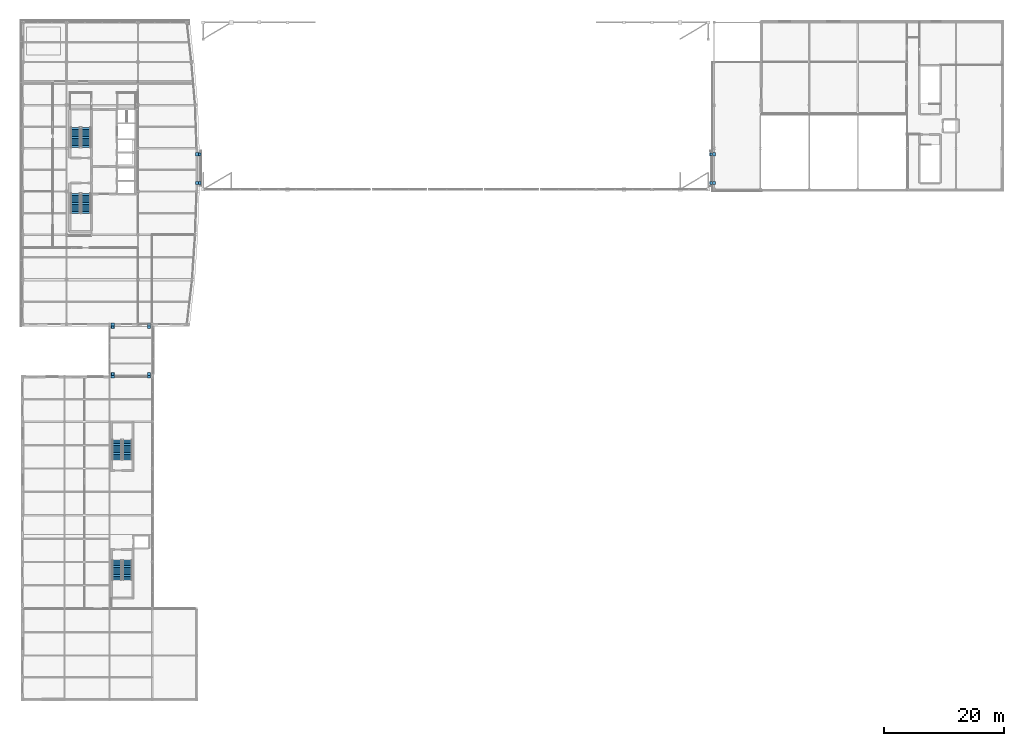
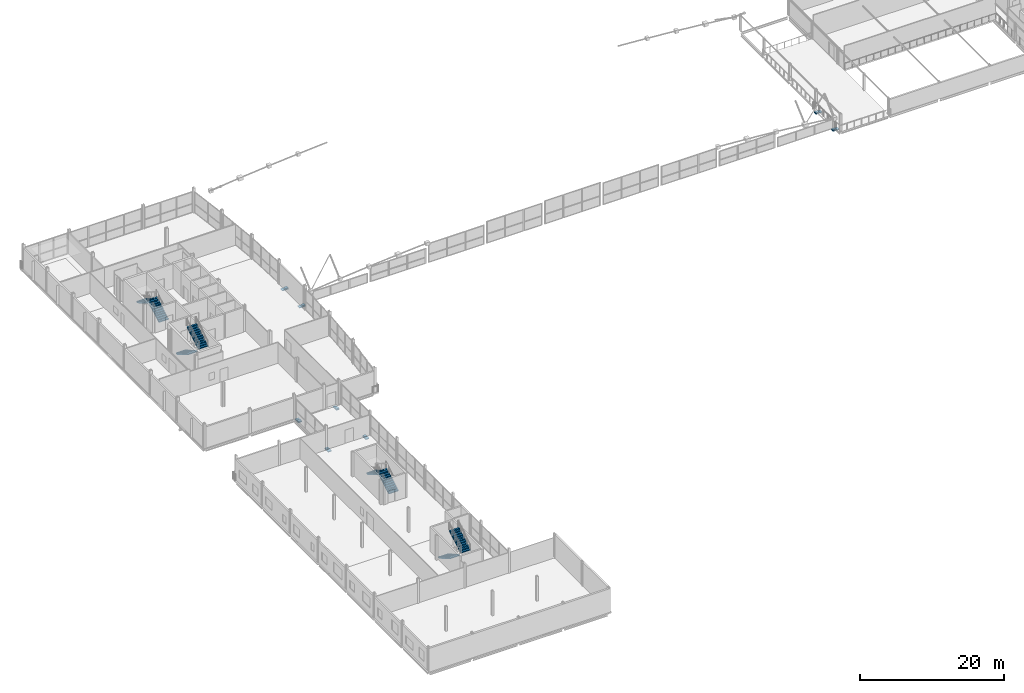
# One storey, part 54 of 60: 16 discrete accessories, 8 stair flights, 4 elements without a shape of their own.
"""IFC4 building model written with IfcOpenShell, lengths in metres."""

from ifc_helpers import new_model, si_unit, direction, frame, origin, origin_2d, place, context, subcontext, project, spatial, polyline, rectangle, outline, extrude, material, type_object, element, aggregate, save


model = new_model("IFC4")

# Units and contexts
model_context = context("Model", 3, precision=1e-05, world=origin(), true_north=direction((0.0, 1.0)))
body_context = subcontext(model_context, "Body", "Model", "MODEL_VIEW")
ifc_project = project(units=[si_unit("LENGTHUNIT", "METRE"), si_unit("AREAUNIT", "SQUARE_METRE"), si_unit("VOLUMEUNIT", "CUBIC_METRE"), si_unit("PLANEANGLEUNIT", "RADIAN"), si_unit("MASSUNIT", "GRAM", prefix="KILO")], contexts=[model_context])

# Site, building, storey
site_placement = place(None, origin())
site = spatial("IfcSite", under=ifc_project, at=site_placement, CompositionType="ELEMENT")
building_placement = place(site_placement, origin())
building = spatial("IfcBuilding", under=site, at=building_placement, Name="Quillay Park Conservatory", CompositionType="ELEMENT")
storey_placement = place(building_placement, frame((0.0, 0.0, 9.89990234375)))
storey = spatial("IfcBuildingStorey", under=building, at=storey_placement, Name="L02", CompositionType="ELEMENT", Elevation=9.89990234375)

# Stair, stair flights
ifc_material_1 = material(Name="Concrete C35/45 (NCh170 Concrete C35/45)", Category="concrete")
stair_type = type_object("IfcStairType", Name="ENCLOSED DOG LEG STAIR 4200", PredefinedType="HALF_TURN_STAIR", material=ifc_material_1)
stair_1_placement = place(storey_placement, origin())
stair_1 = element("IfcStair", 1, at=stair_1_placement, inside=storey, type_object=stair_type, Name="L02 Tower Protected Exit Stair 1", PredefinedType="HALF_TURN_STAIR")
ifc_material_2 = material(Name="Concrete C35/45 (NCh170 Concrete C35/45)", Category="concrete")
stair_flight_type = type_object("IfcStairFlightType", Name="STRAIGHT STAIR FLIGHT 4200", PredefinedType="STRAIGHT", material=ifc_material_2)
stair_flight_1_placement = place(storey_placement, frame((11.090087890625, 92.550048828125, 0.0), z_axis=(0.0, 0.0, 1.0), x_axis=(0.0, 1.0, 0.0)))
stair_flight_1 = element("IfcStairFlight", 2, at=stair_flight_1_placement, type_object=stair_flight_type, Name="ST-T1 flight 1", NumberOfRisers=12, NumberOfTreads=11, PredefinedType="STRAIGHT", RiserHeight=0.175, TreadLength=0.3, context=body_context, shape_type="SweptSolid", body=[
    extrude(outline(polyline([(0.0, 0.0), (0.0, 0.175048828125), (0.300048828125, 0.175048828125), (0.300048828125, 0.35009765625), (0.60009765625, 0.35009765625), (0.60009765625, 0.52490234375), (0.89990234375, 0.52490234375), (0.89990234375, 0.699951171875), (1.199951171875, 0.699951171875), (1.199951171875, 0.875), (1.5, 0.875), (1.5, 1.050048828125), (1.800048828125, 1.050048828125), (1.800048828125, 1.22509765625), (2.10009765625, 1.22509765625), (2.10009765625, 1.39990234375), (2.39990234375, 1.39990234375), (2.39990234375, 1.574951171875), (2.699951171875, 1.574951171875), (2.699951171875, 1.75), (3.0, 1.75), (3.0, 1.925048828125), (3.300048828125, 1.925048828125), (3.300048828125, 2.10009765625), (3.300048828125, 1.75146484375), (0.297607421875, 0.0), (0.0, 0.0)])), frame((0.0, 0.780029296875, 0.0), z_axis=(0.0, -1.0, 0.0), x_axis=(1.0, 0.0, 0.0)), (0.0, 0.0, 1.0), 1.56005859375),
])
stair_flight_2_placement = place(storey_placement, frame((9.330078125, 95.85009765625, 2.10009765625), z_axis=(0.0, 0.0, 1.0), x_axis=(0.0, -1.0, 0.0)))
stair_flight_2 = element("IfcStairFlight", 3, at=stair_flight_2_placement, type_object=stair_flight_type, Name="ST-T1 flight 2", NumberOfRisers=12, NumberOfTreads=11, PredefinedType="STRAIGHT", RiserHeight=0.175, TreadLength=0.3, context=body_context, shape_type="SweptSolid", body=[
    extrude(outline(polyline([(0.0, 0.0), (0.0, 0.175048828125), (0.300048828125, 0.175048828125), (0.300048828125, 0.35009765625), (0.60009765625, 0.35009765625), (0.60009765625, 0.52490234375), (0.89990234375, 0.52490234375), (0.89990234375, 0.699951171875), (1.199951171875, 0.699951171875), (1.199951171875, 0.875), (1.5, 0.875), (1.5, 1.050048828125), (1.800048828125, 1.050048828125), (1.800048828125, 1.22509765625), (2.10009765625, 1.22509765625), (2.10009765625, 1.39990234375), (2.39990234375, 1.39990234375), (2.39990234375, 1.574951171875), (2.699951171875, 1.574951171875), (2.699951171875, 1.75), (3.0, 1.75), (3.0, 1.925048828125), (3.300048828125, 1.925048828125), (3.300048828125, 2.10009765625), (3.300048828125, 1.75146484375), (0.297607421875, 0.0), (0.0, 0.0)])), frame((0.0, 0.780029296875, 0.0), z_axis=(0.0, -1.0, 0.0), x_axis=(1.0, 0.0, 0.0)), (0.0, 0.0, 1.0), 1.56005859375),
])
aggregate(stair_1, [stair_flight_1, stair_flight_2])

stair_2_placement = place(storey_placement, origin())
stair_2 = element("IfcStair", 4, at=stair_2_placement, inside=storey, type_object=stair_type, Name="L02 Tower Protected Exit Stair 2", PredefinedType="HALF_TURN_STAIR")
stair_flight_3_placement = place(storey_placement, frame((9.330078125, 84.85009765625, 0.0), z_axis=(0.0, 0.0, 1.0), x_axis=(0.0, -1.0, 0.0)))
stair_flight_3 = element("IfcStairFlight", 5, at=stair_flight_3_placement, type_object=stair_flight_type, Name="ST-T2 flight 1", NumberOfRisers=12, NumberOfTreads=11, PredefinedType="STRAIGHT", RiserHeight=0.175, TreadLength=0.3, context=body_context, shape_type="SweptSolid", body=[
    extrude(outline(polyline([(0.0, 0.0), (0.0, 0.175048828125), (0.300048828125, 0.175048828125), (0.300048828125, 0.35009765625), (0.60009765625, 0.35009765625), (0.60009765625, 0.52490234375), (0.89990234375, 0.52490234375), (0.89990234375, 0.699951171875), (1.199951171875, 0.699951171875), (1.199951171875, 0.875), (1.5, 0.875), (1.5, 1.050048828125), (1.800048828125, 1.050048828125), (1.800048828125, 1.22509765625), (2.10009765625, 1.22509765625), (2.10009765625, 1.39990234375), (2.39990234375, 1.39990234375), (2.39990234375, 1.574951171875), (2.699951171875, 1.574951171875), (2.699951171875, 1.75), (3.0, 1.75), (3.0, 1.925048828125), (3.300048828125, 1.925048828125), (3.300048828125, 2.10009765625), (3.300048828125, 1.75146484375), (0.297607421875, 0.0), (0.0, 0.0)])), frame((0.0, 0.780029296875, 0.0), z_axis=(0.0, -1.0, 0.0), x_axis=(1.0, 0.0, 0.0)), (0.0, 0.0, 1.0), 1.56005859375),
])
stair_flight_4_placement = place(storey_placement, frame((11.090087890625, 81.550048828125, 2.10009765625), z_axis=(0.0, 0.0, 1.0), x_axis=(0.0, 1.0, 0.0)))
stair_flight_4 = element("IfcStairFlight", 6, at=stair_flight_4_placement, type_object=stair_flight_type, Name="ST-T2 flight 2", NumberOfRisers=12, NumberOfTreads=11, PredefinedType="STRAIGHT", RiserHeight=0.175, TreadLength=0.3, context=body_context, shape_type="SweptSolid", body=[
    extrude(outline(polyline([(0.0, 0.0), (0.0, 0.175048828125), (0.300048828125, 0.175048828125), (0.300048828125, 0.35009765625), (0.60009765625, 0.35009765625), (0.60009765625, 0.52490234375), (0.89990234375, 0.52490234375), (0.89990234375, 0.699951171875), (1.199951171875, 0.699951171875), (1.199951171875, 0.875), (1.5, 0.875), (1.5, 1.050048828125), (1.800048828125, 1.050048828125), (1.800048828125, 1.22509765625), (2.10009765625, 1.22509765625), (2.10009765625, 1.39990234375), (2.39990234375, 1.39990234375), (2.39990234375, 1.574951171875), (2.699951171875, 1.574951171875), (2.699951171875, 1.75), (3.0, 1.75), (3.0, 1.925048828125), (3.300048828125, 1.925048828125), (3.300048828125, 2.10009765625), (3.300048828125, 1.75146484375), (0.297607421875, 0.0), (0.0, 0.0)])), frame((0.0, 0.780029296875, 0.0), z_axis=(0.0, -1.0, 0.0), x_axis=(1.0, 0.0, 0.0)), (0.0, 0.0, 1.0), 1.56005859375),
])
aggregate(stair_2, [stair_flight_3, stair_flight_4])

stair_3_placement = place(storey_placement, origin())
stair_3 = element("IfcStair", 7, at=stair_3_placement, inside=storey, type_object=stair_type, Name="L02 Visitor Centre Exit Stair 1", PredefinedType="HALF_TURN_STAIR")
stair_flight_5_placement = place(storey_placement, frame((16.22998046875, 23.699951171875, 0.0), z_axis=(0.0, 0.0, 1.0), x_axis=(0.0, -1.0, 0.0)))
stair_flight_5 = element("IfcStairFlight", 8, at=stair_flight_5_placement, type_object=stair_flight_type, Name="ST-V1 flight 1", NumberOfRisers=12, NumberOfTreads=11, PredefinedType="STRAIGHT", RiserHeight=0.175, TreadLength=0.3, context=body_context, shape_type="SweptSolid", body=[
    extrude(outline(polyline([(0.0, 0.0), (0.0, 0.175048828125), (0.300048828125, 0.175048828125), (0.300048828125, 0.35009765625), (0.60009765625, 0.35009765625), (0.60009765625, 0.52490234375), (0.89990234375, 0.52490234375), (0.89990234375, 0.699951171875), (1.199951171875, 0.699951171875), (1.199951171875, 0.875), (1.5, 0.875), (1.5, 1.050048828125), (1.800048828125, 1.050048828125), (1.800048828125, 1.22509765625), (2.10009765625, 1.22509765625), (2.10009765625, 1.39990234375), (2.39990234375, 1.39990234375), (2.39990234375, 1.574951171875), (2.699951171875, 1.574951171875), (2.699951171875, 1.75), (3.0, 1.75), (3.0, 1.925048828125), (3.300048828125, 1.925048828125), (3.300048828125, 2.10009765625), (3.300048828125, 1.75146484375), (0.297607421875, 0.0), (0.0, 0.0)])), frame((0.0, 0.780029296875, 0.0), z_axis=(0.0, -1.0, 0.0), x_axis=(1.0, 0.0, 0.0)), (0.0, 0.0, 1.0), 1.56005859375),
])
stair_flight_6_placement = place(storey_placement, frame((17.989990234375, 20.39990234375, 2.10009765625), z_axis=(0.0, 0.0, 1.0), x_axis=(0.0, 1.0, 0.0)))
stair_flight_6 = element("IfcStairFlight", 9, at=stair_flight_6_placement, type_object=stair_flight_type, Name="ST-V1 flight 2", NumberOfRisers=12, NumberOfTreads=11, PredefinedType="STRAIGHT", RiserHeight=0.175, TreadLength=0.3, context=body_context, shape_type="SweptSolid", body=[
    extrude(outline(polyline([(0.0, 0.0), (0.0, 0.175048828125), (0.300048828125, 0.175048828125), (0.300048828125, 0.35009765625), (0.60009765625, 0.35009765625), (0.60009765625, 0.52490234375), (0.89990234375, 0.52490234375), (0.89990234375, 0.699951171875), (1.199951171875, 0.699951171875), (1.199951171875, 0.875), (1.5, 0.875), (1.5, 1.050048828125), (1.800048828125, 1.050048828125), (1.800048828125, 1.22509765625), (2.10009765625, 1.22509765625), (2.10009765625, 1.39990234375), (2.39990234375, 1.39990234375), (2.39990234375, 1.574951171875), (2.699951171875, 1.574951171875), (2.699951171875, 1.75), (3.0, 1.75), (3.0, 1.925048828125), (3.300048828125, 1.925048828125), (3.300048828125, 2.10009765625), (3.300048828125, 1.75146484375), (0.297607421875, 0.0), (0.0, 0.0)])), frame((0.0, 0.780029296875, 0.0), z_axis=(0.0, -1.0, 0.0), x_axis=(1.0, 0.0, 0.0)), (0.0, 0.0, 1.0), 1.56005859375),
])
aggregate(stair_3, [stair_flight_5, stair_flight_6])

stair_4_placement = place(storey_placement, origin())
stair_4 = element("IfcStair", 10, at=stair_4_placement, inside=storey, type_object=stair_type, Name="L02 Visitor Centre Exit Stair 2", PredefinedType="HALF_TURN_STAIR")
stair_flight_7_placement = place(storey_placement, frame((17.989990234375, 40.449951171875, 0.0), z_axis=(0.0, 0.0, 1.0), x_axis=(0.0, 1.0, 0.0)))
stair_flight_7 = element("IfcStairFlight", 11, at=stair_flight_7_placement, type_object=stair_flight_type, Name="ST-V2 flight 1", NumberOfRisers=12, NumberOfTreads=11, PredefinedType="STRAIGHT", RiserHeight=0.175, TreadLength=0.3, context=body_context, shape_type="SweptSolid", body=[
    extrude(outline(polyline([(0.0, 0.0), (0.0, 0.175048828125), (0.300048828125, 0.175048828125), (0.300048828125, 0.35009765625), (0.60009765625, 0.35009765625), (0.60009765625, 0.52490234375), (0.89990234375, 0.52490234375), (0.89990234375, 0.699951171875), (1.199951171875, 0.699951171875), (1.199951171875, 0.875), (1.5, 0.875), (1.5, 1.050048828125), (1.800048828125, 1.050048828125), (1.800048828125, 1.22509765625), (2.10009765625, 1.22509765625), (2.10009765625, 1.39990234375), (2.39990234375, 1.39990234375), (2.39990234375, 1.574951171875), (2.699951171875, 1.574951171875), (2.699951171875, 1.75), (3.0, 1.75), (3.0, 1.925048828125), (3.300048828125, 1.925048828125), (3.300048828125, 2.10009765625), (3.300048828125, 1.75146484375), (0.297607421875, 0.0), (0.0, 0.0)])), frame((0.0, 0.780029296875, 0.0), z_axis=(0.0, -1.0, 0.0), x_axis=(1.0, 0.0, 0.0)), (0.0, 0.0, 1.0), 1.56005859375),
])
stair_flight_8_placement = place(storey_placement, frame((16.22998046875, 43.75, 2.10009765625), z_axis=(0.0, 0.0, 1.0), x_axis=(0.0, -1.0, 0.0)))
stair_flight_8 = element("IfcStairFlight", 12, at=stair_flight_8_placement, type_object=stair_flight_type, Name="ST-V2 flight 2", NumberOfRisers=12, NumberOfTreads=11, PredefinedType="STRAIGHT", RiserHeight=0.175, TreadLength=0.3, context=body_context, shape_type="SweptSolid", body=[
    extrude(outline(polyline([(0.0, 0.0), (0.0, 0.175048828125), (0.300048828125, 0.175048828125), (0.300048828125, 0.35009765625), (0.60009765625, 0.35009765625), (0.60009765625, 0.52490234375), (0.89990234375, 0.52490234375), (0.89990234375, 0.699951171875), (1.199951171875, 0.699951171875), (1.199951171875, 0.875), (1.5, 0.875), (1.5, 1.050048828125), (1.800048828125, 1.050048828125), (1.800048828125, 1.22509765625), (2.10009765625, 1.22509765625), (2.10009765625, 1.39990234375), (2.39990234375, 1.39990234375), (2.39990234375, 1.574951171875), (2.699951171875, 1.574951171875), (2.699951171875, 1.75), (3.0, 1.75), (3.0, 1.925048828125), (3.300048828125, 1.925048828125), (3.300048828125, 2.10009765625), (3.300048828125, 1.75146484375), (0.297607421875, 0.0), (0.0, 0.0)])), frame((0.0, 0.780029296875, 0.0), z_axis=(0.0, -1.0, 0.0), x_axis=(1.0, 0.0, 0.0)), (0.0, 0.0, 1.0), 1.56005859375),
])
aggregate(stair_4, [stair_flight_7, stair_flight_8])

# Discrete accessories
ifc_material_3 = material(Name="Steel ASTM A572 Grade 50", Category="steel")
discrete_accessory_type_1 = type_object("IfcDiscreteAccessoryType", Name="PTFE SLIDING BRIDGE BEARING SB01", PredefinedType="USERDEFINED", material=ifc_material_3)
for number, where, z_axis, x_axis, name in (
    (13, (15.550048828125, 54.75, -0.33984375), (0.0, 0.0, 1.0), (1.0, 0.0, 0.0), "Unguided biaxial PTFE sliding bearing SB-05"),
    (14, (21.60009765625, 54.75, -0.33984375), (0.0, 0.0, 1.0), (1.0, 0.0, 0.0), "Unguided biaxial PTFE sliding bearing SB-06"),
    (15, (15.550048828125, 62.550048828125, -0.33984375), (0.0, 0.0, 1.0), (1.0, 0.0, 0.0), "Unguided biaxial PTFE sliding bearing SB-07"),
    (16, (21.60009765625, 62.550048828125, -0.33984375), (0.0, 0.0, 1.0), (1.0, 0.0, 0.0), "Unguided biaxial PTFE sliding bearing SB-08"),
    (17, (30.06005859375, 86.60009765625, -0.320068359375), (0.0, 0.0, 1.0), (1.0, 0.0, 0.0), "Unguided biaxial PTFE sliding bearing SB-13"),
    (18, (30.06005859375, 91.39990234375, -0.320068359375), (0.0, 0.0, 1.0), (1.0, 0.0, 0.0), "Unguided biaxial PTFE sliding bearing SB-14"),
    (19, (115.35009765625, 86.60009765625, -0.320068359375), (0.0, 0.0, 1.0), (1.0, 0.0, 0.0), "Unguided biaxial PTFE sliding bearing SB-15"),
    (20, (115.35009765625, 91.39990234375, -0.320068359375), (0.0, 0.0, 1.0), (1.0, 0.0, 0.0), "Unguided biaxial PTFE sliding bearing SB-16"),
):
    element("IfcDiscreteAccessory", number, at=place(storey_placement, frame(where, z_axis=z_axis, x_axis=x_axis)), inside=storey, type_object=discrete_accessory_type_1, Name=name, ObjectType="SLIDING BEARING", PredefinedType="USERDEFINED", context=body_context, shape_type="SweptSolid", body=[
        extrude(rectangle(XDim=0.449951171875, YDim=0.449951171875, at=origin_2d()), origin(), (0.0, 0.0, 1.0), 0.1201171875),
    ])
ifc_material_4 = material(Name="Concrete C40/50 (NCh170 Concrete C40/50)", Category="concrete")
discrete_accessory_type_2 = type_object("IfcDiscreteAccessoryType", Name="REINFORCED CONCRETE CORBEL SEAT 980", PredefinedType="BRACKET", material=ifc_material_4)
for number, where, z_axis, x_axis, name in (
    (21, (15.550048828125, 54.550048828125, -0.47998046875), (0.0, 0.0, 1.0), (1.0, 0.0, 0.0), "Reinforced concrete 980 mm bridge corbel seat B-CB1 05"),
    (22, (21.60009765625, 54.550048828125, -0.47998046875), (0.0, 0.0, 1.0), (1.0, 0.0, 0.0), "Reinforced concrete 980 mm bridge corbel seat B-CB1 06"),
    (23, (15.550048828125, 62.800048828125, -0.47998046875), (0.0, 0.0, 1.0), (1.0, 0.0, 0.0), "Reinforced concrete 980 mm bridge corbel seat B-CB1 07"),
    (24, (21.60009765625, 62.800048828125, -0.47998046875), (0.0, 0.0, 1.0), (1.0, 0.0, 0.0), "Reinforced concrete 980 mm bridge corbel seat B-CB1 08"),
):
    element("IfcDiscreteAccessory", number, at=place(storey_placement, frame(where, z_axis=z_axis, x_axis=x_axis)), inside=storey, type_object=discrete_accessory_type_2, Name=name, PredefinedType="BRACKET", context=body_context, shape_type="SweptSolid", body=[
        extrude(rectangle(XDim=0.550048828125, YDim=0.97998046875, at=origin_2d()), origin(), (0.0, 0.0, 1.0), 0.139892578125),
    ])
for number, where, z_axis, x_axis, name in (
    (25, (29.800048828125, 86.60009765625, -0.4599609375), (0.0, 0.0, 1.0), (1.0, 0.0, 0.0), "Reinforced concrete 980 mm bridge corbel seat B-CB1 13"),
    (26, (29.800048828125, 91.39990234375, -0.4599609375), (0.0, 0.0, 1.0), (1.0, 0.0, 0.0), "Reinforced concrete 980 mm bridge corbel seat B-CB1 14"),
    (27, (115.60009765625, 86.60009765625, -0.4599609375), (0.0, 0.0, 1.0), (1.0, 0.0, 0.0), "Reinforced concrete 980 mm bridge corbel seat B-CB1 15"),
    (28, (115.60009765625, 91.39990234375, -0.4599609375), (0.0, 0.0, 1.0), (1.0, 0.0, 0.0), "Reinforced concrete 980 mm bridge corbel seat B-CB1 16"),
):
    element("IfcDiscreteAccessory", number, at=place(storey_placement, frame(where, z_axis=z_axis, x_axis=x_axis)), inside=storey, type_object=discrete_accessory_type_2, Name=name, PredefinedType="BRACKET", context=body_context, shape_type="SweptSolid", body=[
        extrude(rectangle(XDim=0.97998046875, YDim=0.550048828125, at=origin_2d()), origin(), (0.0, 0.0, 1.0), 0.139892578125),
    ])

save(model, "model.ifc")
